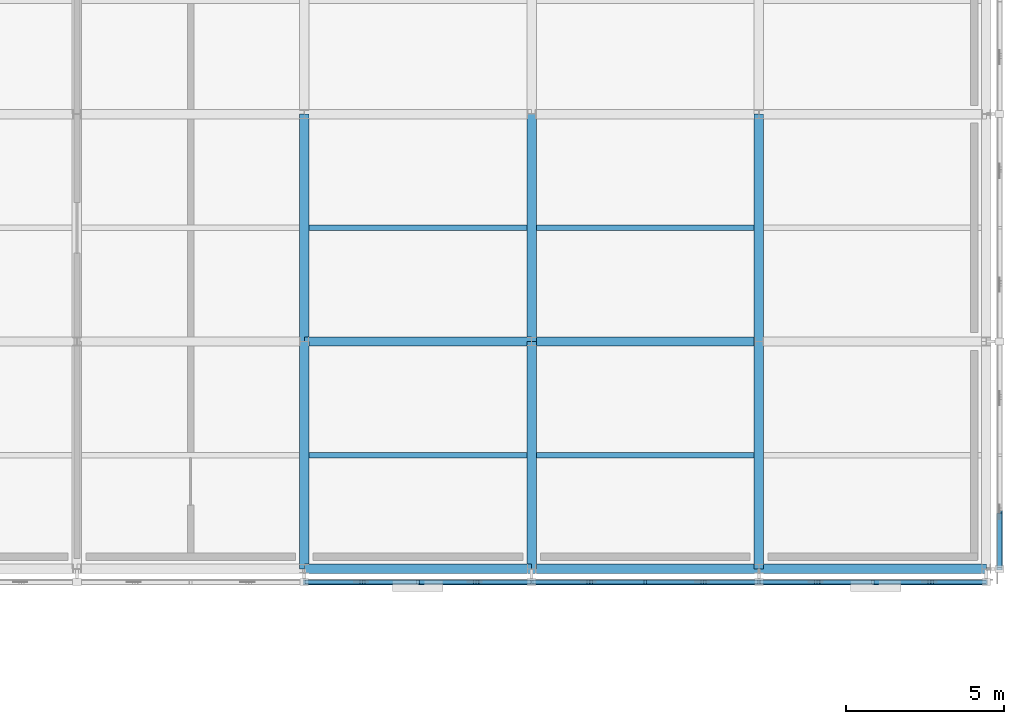
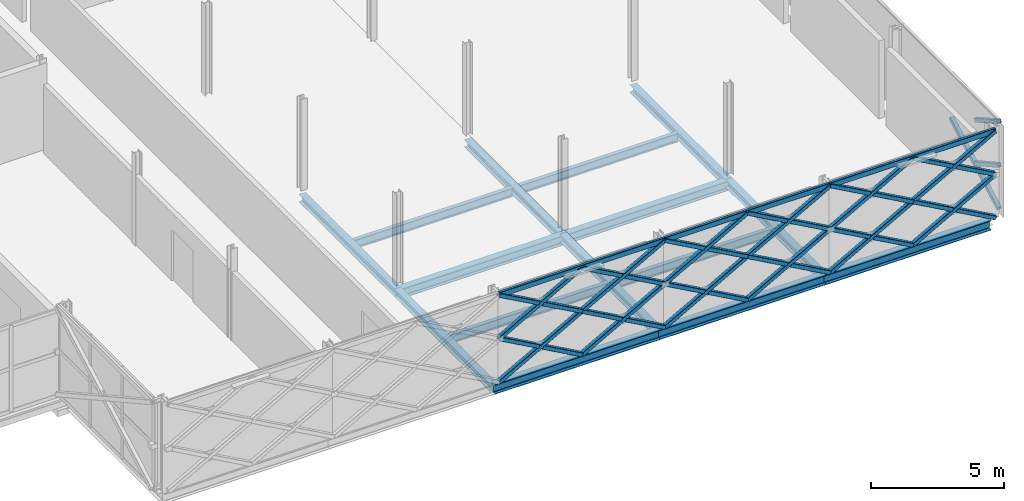
# One storey, part 68 of 146: 42 members, 15 beams.
"""IFC4 building model written with IfcOpenShell, lengths in metres."""

from ifc_helpers import new_model, si_unit, direction, frame, origin, origin_2d, place, context, subcontext, project, spatial, hollow_rectangle, i_section, extrude, material, material_profile, profile_set, type_object, element, save


model = new_model("IFC4")

# Units and contexts
model_context = context("Model", 3, precision=1e-05, world=origin(), true_north=direction((0.0, 1.0)))
body_context = subcontext(model_context, "Body", "Model", "MODEL_VIEW")
ifc_project = project(units=[si_unit("LENGTHUNIT", "METRE"), si_unit("AREAUNIT", "SQUARE_METRE"), si_unit("VOLUMEUNIT", "CUBIC_METRE"), si_unit("PLANEANGLEUNIT", "RADIAN"), si_unit("MASSUNIT", "GRAM", prefix="KILO")], contexts=[model_context])

# Site, building, storey
site_placement = place(None, origin())
site = spatial("IfcSite", under=ifc_project, at=site_placement, CompositionType="ELEMENT")
building_placement = place(site_placement, origin())
building = spatial("IfcBuilding", under=site, at=building_placement, Name="Zlatovets Crest Museum", CompositionType="ELEMENT")
storey_placement = place(building_placement, frame((0.0, 0.0, 4.5)))
storey = spatial("IfcBuildingStorey", under=building, at=storey_placement, Name="L01", CompositionType="ELEMENT", Elevation=4.5)

# Beams
ifc_material_1 = material(Name="Structural steel S355J2", Category="steel")
ifc_material_profile_1 = material_profile(ifc_material_1, i_section(OverallWidth=0.300048828125, OverallDepth=0.35009765625, WebThickness=0.010009765625, FlangeThickness=0.017578125, FilletRadius=0.027099609375, at=origin_2d()), Name="HEA 360")
ifc_profile_set_1 = profile_set([ifc_material_profile_1], Name="Structural steel S355J2")
beam_type_1 = type_object("IfcBeamType", Name="Beam_B-03", PredefinedType="BEAM", material=ifc_profile_set_1)
beam_1_placement = place(storey_placement, frame((144.0, 14.39990234375, -0.39501953125), z_axis=(0.0, 1.0, 0.0), x_axis=(-1.0, 0.0, 0.0)))
element("IfcBeam", 1, at=beam_1_placement, inside=storey, type_object=beam_type_1, Name="V5 L01 Grid Beam B-03", PredefinedType="BEAM", context=body_context, shape_type="SweptSolid", body=[
    extrude(i_section(OverallWidth=0.300048828125, OverallDepth=0.35009765625, WebThickness=0.010009765625, FlangeThickness=0.017578125, FilletRadius=0.027099609375, at=origin_2d()), origin(), (0.0, 0.0, 1.0), 7.2001953125),
])
beam_2_placement = place(storey_placement, frame((144.0, 21.60009765625, -0.39501953125), z_axis=(0.0, 1.0, 0.0), x_axis=(-1.0, 0.0, 0.0)))
element("IfcBeam", 2, at=beam_2_placement, inside=storey, type_object=beam_type_1, Name="V5 L01 Grid Beam B-03", PredefinedType="BEAM", context=body_context, shape_type="SweptSolid", body=[
    extrude(i_section(OverallWidth=0.300048828125, OverallDepth=0.35009765625, WebThickness=0.010009765625, FlangeThickness=0.017578125, FilletRadius=0.027099609375, at=origin_2d()), origin(), (0.0, 0.0, 1.0), 7.199951171875),
])
beam_3_placement = place(storey_placement, frame((151.199951171875, 14.39990234375, -0.39501953125), z_axis=(0.0, 1.0, 0.0), x_axis=(-1.0, 0.0, 0.0)))
element("IfcBeam", 3, at=beam_3_placement, inside=storey, type_object=beam_type_1, Name="V5 L01 Grid Beam B-03", PredefinedType="BEAM", context=body_context, shape_type="SweptSolid", body=[
    extrude(i_section(OverallWidth=0.300048828125, OverallDepth=0.35009765625, WebThickness=0.010009765625, FlangeThickness=0.017578125, FilletRadius=0.027099609375, at=origin_2d()), origin(), (0.0, 0.0, 1.0), 7.2001953125),
])
beam_4_placement = place(storey_placement, frame((151.199951171875, 21.60009765625, -0.39501953125), z_axis=(0.0, 1.0, 0.0), x_axis=(-1.0, 0.0, 0.0)))
element("IfcBeam", 4, at=beam_4_placement, inside=storey, type_object=beam_type_1, Name="V5 L01 Grid Beam B-03", PredefinedType="BEAM", context=body_context, shape_type="SweptSolid", body=[
    extrude(i_section(OverallWidth=0.300048828125, OverallDepth=0.35009765625, WebThickness=0.010009765625, FlangeThickness=0.017578125, FilletRadius=0.027099609375, at=origin_2d()), origin(), (0.0, 0.0, 1.0), 7.199951171875),
])
beam_5_placement = place(storey_placement, frame((158.39990234375, 14.39990234375, -0.39501953125), z_axis=(0.0, 1.0, 0.0), x_axis=(-1.0, 0.0, 0.0)))
element("IfcBeam", 5, at=beam_5_placement, inside=storey, type_object=beam_type_1, Name="V5 L01 Grid Beam B-03", PredefinedType="BEAM", context=body_context, shape_type="SweptSolid", body=[
    extrude(i_section(OverallWidth=0.300048828125, OverallDepth=0.35009765625, WebThickness=0.010009765625, FlangeThickness=0.017578125, FilletRadius=0.027099609375, at=origin_2d()), origin(), (0.0, 0.0, 1.0), 7.2001953125),
])
beam_6_placement = place(storey_placement, frame((158.39990234375, 21.60009765625, -0.39501953125), z_axis=(0.0, 1.0, 0.0), x_axis=(-1.0, 0.0, 0.0)))
element("IfcBeam", 6, at=beam_6_placement, inside=storey, type_object=beam_type_1, Name="V5 L01 Grid Beam B-03", PredefinedType="BEAM", context=body_context, shape_type="SweptSolid", body=[
    extrude(i_section(OverallWidth=0.300048828125, OverallDepth=0.35009765625, WebThickness=0.010009765625, FlangeThickness=0.017578125, FilletRadius=0.027099609375, at=origin_2d()), origin(), (0.0, 0.0, 1.0), 7.199951171875),
])
ifc_material_profile_2 = material_profile(ifc_material_1, i_section(OverallWidth=0.300048828125, OverallDepth=0.43994140625, WebThickness=0.011474609375, FlangeThickness=0.02099609375, FilletRadius=0.027099609375, at=origin_2d()), Name="HEA 450")
ifc_profile_set_2 = profile_set([ifc_material_profile_2], Name="Structural steel S355J2")
beam_type_2 = type_object("IfcBeamType", Name="Beam_B-10", PredefinedType="BEAM", material=ifc_profile_set_2)
for number, where, z_axis, x_axis, name in (
    (7, (144.0, 14.39990234375, -0.43994140625), (1.0, 0.0, 0.0), (0.0, 1.0, 0.0), "V5 L01 Primary Girder B-10"),
    (8, (151.199951171875, 14.39990234375, -0.43994140625), (1.0, 0.0, 0.0), (0.0, 1.0, 0.0), "V5 L01 Primary Girder B-10"),
):
    element("IfcBeam", number, at=place(storey_placement, frame(where, z_axis=z_axis, x_axis=x_axis)), inside=storey, type_object=beam_type_2, Name=name, PredefinedType="BEAM", context=body_context, shape_type="SweptSolid", body=[
        extrude(i_section(OverallWidth=0.300048828125, OverallDepth=0.43994140625, WebThickness=0.011474609375, FlangeThickness=0.02099609375, FilletRadius=0.027099609375, at=origin_2d()), origin(), (0.0, 0.0, 1.0), 7.199951171875),
    ])
beam_7_placement = place(storey_placement, frame((158.39990234375, 14.39990234375, -0.43994140625), z_axis=(1.0, 0.0, 0.0), x_axis=(0.0, 1.0, 0.0)))
element("IfcBeam", 9, at=beam_7_placement, inside=storey, type_object=beam_type_2, Name="V5 L01 Primary Girder B-10", PredefinedType="BEAM", context=body_context, shape_type="SweptSolid", body=[
    extrude(i_section(OverallWidth=0.300048828125, OverallDepth=0.43994140625, WebThickness=0.011474609375, FlangeThickness=0.02099609375, FilletRadius=0.027099609375, at=origin_2d()), origin(), (0.0, 0.0, 1.0), 7.2001953125),
])
for number, where, z_axis, x_axis, name in (
    (10, (144.0, 21.60009765625, -0.43994140625), (1.0, 0.0, 0.0), (0.0, 1.0, 0.0), "V5 L01 Primary Girder B-10"),
    (11, (151.199951171875, 21.60009765625, -0.43994140625), (1.0, 0.0, 0.0), (0.0, 1.0, 0.0), "V5 L01 Primary Girder B-10"),
):
    element("IfcBeam", number, at=place(storey_placement, frame(where, z_axis=z_axis, x_axis=x_axis)), inside=storey, type_object=beam_type_2, Name=name, PredefinedType="BEAM", context=body_context, shape_type="SweptSolid", body=[
        extrude(i_section(OverallWidth=0.300048828125, OverallDepth=0.43994140625, WebThickness=0.011474609375, FlangeThickness=0.02099609375, FilletRadius=0.027099609375, at=origin_2d()), origin(), (0.0, 0.0, 1.0), 7.199951171875),
    ])
ifc_material_profile_3 = material_profile(ifc_material_1, i_section(OverallWidth=0.179931640625, OverallDepth=0.39990234375, WebThickness=0.008544921875, FlangeThickness=0.013427734375, FilletRadius=0.02099609375, at=origin_2d()), Name="IPE 400")
ifc_profile_set_3 = profile_set([ifc_material_profile_3], Name="Structural steel S355J2")
beam_type_3 = type_object("IfcBeamType", Name="Beam_J-04", PredefinedType="JOIST", material=ifc_profile_set_3)
for number, where, z_axis, x_axis, name in (
    (12, (144.14990234375, 18.0, -0.419921875), (1.0, 0.0, 0.0), (0.0, 1.0, 0.0), "V5 L01 Composite Joist J-04"),
    (13, (144.14990234375, 25.199951171875, -0.419921875), (1.0, 0.0, 0.0), (0.0, 1.0, 0.0), "V5 L01 Composite Joist J-04"),
):
    element("IfcBeam", number, at=place(storey_placement, frame(where, z_axis=z_axis, x_axis=x_axis)), inside=storey, type_object=beam_type_3, Name=name, PredefinedType="JOIST", context=body_context, shape_type="SweptSolid", body=[
        extrude(i_section(OverallWidth=0.179931640625, OverallDepth=0.39990234375, WebThickness=0.008544921875, FlangeThickness=0.013427734375, FilletRadius=0.02099609375, at=origin_2d()), origin(), (0.0, 0.0, 1.0), 6.900146484375),
    ])
for number, where, z_axis, x_axis, name in (
    (14, (151.35009765625, 18.0, -0.419921875), (1.0, 0.0, 0.0), (0.0, 1.0, 0.0), "V5 L01 Composite Joist J-04"),
    (15, (151.35009765625, 25.199951171875, -0.419921875), (1.0, 0.0, 0.0), (0.0, 1.0, 0.0), "V5 L01 Composite Joist J-04"),
):
    element("IfcBeam", number, at=place(storey_placement, frame(where, z_axis=z_axis, x_axis=x_axis)), inside=storey, type_object=beam_type_3, Name=name, PredefinedType="JOIST", context=body_context, shape_type="SweptSolid", body=[
        extrude(i_section(OverallWidth=0.179931640625, OverallDepth=0.39990234375, WebThickness=0.008544921875, FlangeThickness=0.013427734375, FilletRadius=0.02099609375, at=origin_2d()), origin(), (0.0, 0.0, 1.0), 6.89990234375),
    ])

# Members
ifc_material_2 = material(Name="Weathering bronze-steel S355J2W", Category="steel")
ifc_material_profile_4 = material_profile(ifc_material_2, hollow_rectangle(XDim=0.179931640625, YDim=0.179931640625, WallThickness=0.010009765625, InnerFilletRadius=0.010009765625, OuterFilletRadius=0.02001953125, at=origin_2d()), Name="SHS 180x180x10.0")
ifc_profile_set_4 = profile_set([ifc_material_profile_4], Name="Weathering bronze-steel S355J2W")
member_type_1 = type_object("IfcMemberType", Name="Lattice_XL-01", PredefinedType="BRACE", material=ifc_profile_set_4)
member_1_placement = place(storey_placement, frame((144.0, 13.97998046875, 0.10009765625), z_axis=(0.874162868644, 0.0, 0.485632864501), x_axis=(0.0, 1.0, 0.0)))
element("IfcMember", 16, at=member_1_placement, inside=storey, type_object=member_type_1, Name="Continuous Bronze Lattice Diagonal", PredefinedType="BRACE", context=body_context, shape_type="SweptSolid", body=[
    extrude(hollow_rectangle(XDim=0.179931640625, YDim=0.179931640625, WallThickness=0.010009765625, InnerFilletRadius=0.010009765625, OuterFilletRadius=0.02001953125, at=origin_2d()), origin(), (0.0, 0.0, 1.0), 4.118408203125),
])
member_2_placement = place(storey_placement, frame((144.0, 13.97998046875, 2.10009765625), z_axis=(0.874116234569, 0.0, -0.48571679862), x_axis=(0.0, 1.0, 0.0)))
element("IfcMember", 17, at=member_2_placement, inside=storey, type_object=member_type_1, Name="Split Crossing Bronze Lattice Diagonal Upper", PredefinedType="BRACE", context=body_context, shape_type="SweptSolid", body=[
    extrude(hollow_rectangle(XDim=0.179931640625, YDim=0.179931640625, WallThickness=0.010009765625, InnerFilletRadius=0.010009765625, OuterFilletRadius=0.02001953125, at=origin_2d()), origin(), (0.0, 0.0, 1.0), 1.96435546875),
])
member_3_placement = place(storey_placement, frame((145.883056640625, 13.97998046875, 1.053955078125), z_axis=(0.874169001841, 0.0, -0.485621824284), x_axis=(0.0, 1.0, 0.0)))
element("IfcMember", 18, at=member_3_placement, inside=storey, type_object=member_type_1, Name="Split Crossing Bronze Lattice Diagonal Lower", PredefinedType="BRACE", context=body_context, shape_type="SweptSolid", body=[
    extrude(hollow_rectangle(XDim=0.179931640625, YDim=0.179931640625, WallThickness=0.010009765625, InnerFilletRadius=0.010009765625, OuterFilletRadius=0.02001953125, at=origin_2d()), origin(), (0.0, 0.0, 1.0), 1.964111328125),
])
member_4_placement = place(storey_placement, frame((147.60009765625, 13.97998046875, 0.10009765625), z_axis=(0.874148886685, 0.0, 0.485658031857), x_axis=(0.0, 1.0, 0.0)))
element("IfcMember", 19, at=member_4_placement, inside=storey, type_object=member_type_1, Name="Continuous Bronze Lattice Diagonal", PredefinedType="BRACE", context=body_context, shape_type="SweptSolid", body=[
    extrude(hollow_rectangle(XDim=0.179931640625, YDim=0.179931640625, WallThickness=0.010009765625, InnerFilletRadius=0.010009765625, OuterFilletRadius=0.02001953125, at=origin_2d()), origin(), (0.0, 0.0, 1.0), 4.1181640625),
])
for number, where, z_axis, x_axis, name in (
    (20, (147.60009765625, 13.97998046875, 2.10009765625), (0.874086907708, 0.0, -0.485769572713), (0.0, 1.0, 0.0), "Split Crossing Bronze Lattice Diagonal Upper"),
    (21, (149.48291015625, 13.97998046875, 1.053955078125), (0.874169001841, 0.0, -0.485621824284), (0.0, 1.0, 0.0), "Split Crossing Bronze Lattice Diagonal Lower"),
):
    element("IfcMember", number, at=place(storey_placement, frame(where, z_axis=z_axis, x_axis=x_axis)), inside=storey, type_object=member_type_1, Name=name, PredefinedType="BRACE", context=body_context, shape_type="SweptSolid", body=[
        extrude(hollow_rectangle(XDim=0.179931640625, YDim=0.179931640625, WallThickness=0.010009765625, InnerFilletRadius=0.010009765625, OuterFilletRadius=0.02001953125, at=origin_2d()), origin(), (0.0, 0.0, 1.0), 1.964111328125),
    ])
member_5_placement = place(storey_placement, frame((144.0, 13.97998046875, 2.10009765625), z_axis=(0.874162868644, 0.0, 0.485632864501), x_axis=(0.0, 1.0, 0.0)))
element("IfcMember", 22, at=member_5_placement, inside=storey, type_object=member_type_1, Name="Continuous Bronze Lattice Diagonal", PredefinedType="BRACE", context=body_context, shape_type="SweptSolid", body=[
    extrude(hollow_rectangle(XDim=0.179931640625, YDim=0.179931640625, WallThickness=0.010009765625, InnerFilletRadius=0.010009765625, OuterFilletRadius=0.02001953125, at=origin_2d()), origin(), (0.0, 0.0, 1.0), 4.118408203125),
])
member_6_placement = place(storey_placement, frame((144.0, 13.97998046875, 4.10009765625), z_axis=(0.874116234569, 0.0, -0.48571679862), x_axis=(0.0, 1.0, 0.0)))
element("IfcMember", 23, at=member_6_placement, inside=storey, type_object=member_type_1, Name="Split Crossing Bronze Lattice Diagonal Upper", PredefinedType="BRACE", context=body_context, shape_type="SweptSolid", body=[
    extrude(hollow_rectangle(XDim=0.179931640625, YDim=0.179931640625, WallThickness=0.010009765625, InnerFilletRadius=0.010009765625, OuterFilletRadius=0.02001953125, at=origin_2d()), origin(), (0.0, 0.0, 1.0), 1.96435546875),
])
member_7_placement = place(storey_placement, frame((145.883056640625, 13.97998046875, 3.053955078125), z_axis=(0.874169001841, 0.0, -0.485621824284), x_axis=(0.0, 1.0, 0.0)))
element("IfcMember", 24, at=member_7_placement, inside=storey, type_object=member_type_1, Name="Split Crossing Bronze Lattice Diagonal Lower", PredefinedType="BRACE", context=body_context, shape_type="SweptSolid", body=[
    extrude(hollow_rectangle(XDim=0.179931640625, YDim=0.179931640625, WallThickness=0.010009765625, InnerFilletRadius=0.010009765625, OuterFilletRadius=0.02001953125, at=origin_2d()), origin(), (0.0, 0.0, 1.0), 1.964111328125),
])
member_8_placement = place(storey_placement, frame((147.60009765625, 13.97998046875, 2.10009765625), z_axis=(0.874148886685, 0.0, 0.485658031857), x_axis=(0.0, 1.0, 0.0)))
element("IfcMember", 25, at=member_8_placement, inside=storey, type_object=member_type_1, Name="Continuous Bronze Lattice Diagonal", PredefinedType="BRACE", context=body_context, shape_type="SweptSolid", body=[
    extrude(hollow_rectangle(XDim=0.179931640625, YDim=0.179931640625, WallThickness=0.010009765625, InnerFilletRadius=0.010009765625, OuterFilletRadius=0.02001953125, at=origin_2d()), origin(), (0.0, 0.0, 1.0), 4.1181640625),
])
for number, where, z_axis, x_axis, name in (
    (26, (147.60009765625, 13.97998046875, 4.10009765625), (0.874086907708, 0.0, -0.485769572713), (0.0, 1.0, 0.0), "Split Crossing Bronze Lattice Diagonal Upper"),
    (27, (149.48291015625, 13.97998046875, 3.053955078125), (0.874169001841, 0.0, -0.485621824284), (0.0, 1.0, 0.0), "Split Crossing Bronze Lattice Diagonal Lower"),
):
    element("IfcMember", number, at=place(storey_placement, frame(where, z_axis=z_axis, x_axis=x_axis)), inside=storey, type_object=member_type_1, Name=name, PredefinedType="BRACE", context=body_context, shape_type="SweptSolid", body=[
        extrude(hollow_rectangle(XDim=0.179931640625, YDim=0.179931640625, WallThickness=0.010009765625, InnerFilletRadius=0.010009765625, OuterFilletRadius=0.02001953125, at=origin_2d()), origin(), (0.0, 0.0, 1.0), 1.964111328125),
    ])
member_9_placement = place(storey_placement, frame((151.199951171875, 13.97998046875, 0.10009765625), z_axis=(0.874162868644, 0.0, 0.485632864501), x_axis=(0.0, 1.0, 0.0)))
element("IfcMember", 28, at=member_9_placement, inside=storey, type_object=member_type_1, Name="Continuous Bronze Lattice Diagonal", PredefinedType="BRACE", context=body_context, shape_type="SweptSolid", body=[
    extrude(hollow_rectangle(XDim=0.179931640625, YDim=0.179931640625, WallThickness=0.010009765625, InnerFilletRadius=0.010009765625, OuterFilletRadius=0.02001953125, at=origin_2d()), origin(), (0.0, 0.0, 1.0), 4.118408203125),
])
member_10_placement = place(storey_placement, frame((151.199951171875, 13.97998046875, 2.10009765625), z_axis=(0.874116234569, 0.0, -0.48571679862), x_axis=(0.0, 1.0, 0.0)))
element("IfcMember", 29, at=member_10_placement, inside=storey, type_object=member_type_1, Name="Split Crossing Bronze Lattice Diagonal Upper", PredefinedType="BRACE", context=body_context, shape_type="SweptSolid", body=[
    extrude(hollow_rectangle(XDim=0.179931640625, YDim=0.179931640625, WallThickness=0.010009765625, InnerFilletRadius=0.010009765625, OuterFilletRadius=0.02001953125, at=origin_2d()), origin(), (0.0, 0.0, 1.0), 1.96435546875),
])
member_11_placement = place(storey_placement, frame((153.0830078125, 13.97998046875, 1.053955078125), z_axis=(0.874169001841, 0.0, -0.485621824284), x_axis=(0.0, 1.0, 0.0)))
element("IfcMember", 30, at=member_11_placement, inside=storey, type_object=member_type_1, Name="Split Crossing Bronze Lattice Diagonal Lower", PredefinedType="BRACE", context=body_context, shape_type="SweptSolid", body=[
    extrude(hollow_rectangle(XDim=0.179931640625, YDim=0.179931640625, WallThickness=0.010009765625, InnerFilletRadius=0.010009765625, OuterFilletRadius=0.02001953125, at=origin_2d()), origin(), (0.0, 0.0, 1.0), 1.964111328125),
])
member_12_placement = place(storey_placement, frame((154.800048828125, 13.97998046875, 0.10009765625), z_axis=(0.874148886685, 0.0, 0.485658031857), x_axis=(0.0, 1.0, 0.0)))
element("IfcMember", 31, at=member_12_placement, inside=storey, type_object=member_type_1, Name="Continuous Bronze Lattice Diagonal", PredefinedType="BRACE", context=body_context, shape_type="SweptSolid", body=[
    extrude(hollow_rectangle(XDim=0.179931640625, YDim=0.179931640625, WallThickness=0.010009765625, InnerFilletRadius=0.010009765625, OuterFilletRadius=0.02001953125, at=origin_2d()), origin(), (0.0, 0.0, 1.0), 4.1181640625),
])
member_13_placement = place(storey_placement, frame((154.800048828125, 13.97998046875, 2.10009765625), z_axis=(0.874116234569, 0.0, -0.48571679862), x_axis=(0.0, 1.0, 0.0)))
element("IfcMember", 32, at=member_13_placement, inside=storey, type_object=member_type_1, Name="Split Crossing Bronze Lattice Diagonal Upper", PredefinedType="BRACE", context=body_context, shape_type="SweptSolid", body=[
    extrude(hollow_rectangle(XDim=0.179931640625, YDim=0.179931640625, WallThickness=0.010009765625, InnerFilletRadius=0.010009765625, OuterFilletRadius=0.02001953125, at=origin_2d()), origin(), (0.0, 0.0, 1.0), 1.96435546875),
])
member_14_placement = place(storey_placement, frame((156.68310546875, 13.97998046875, 1.053955078125), z_axis=(0.874139684676, 0.0, -0.48567459443), x_axis=(0.0, 1.0, 0.0)))
element("IfcMember", 33, at=member_14_placement, inside=storey, type_object=member_type_1, Name="Split Crossing Bronze Lattice Diagonal Lower", PredefinedType="BRACE", context=body_context, shape_type="SweptSolid", body=[
    extrude(hollow_rectangle(XDim=0.179931640625, YDim=0.179931640625, WallThickness=0.010009765625, InnerFilletRadius=0.010009765625, OuterFilletRadius=0.02001953125, at=origin_2d()), origin(), (0.0, 0.0, 1.0), 1.9638671875),
])
member_15_placement = place(storey_placement, frame((151.199951171875, 13.97998046875, 2.10009765625), z_axis=(0.874162868644, 0.0, 0.485632864501), x_axis=(0.0, 1.0, 0.0)))
element("IfcMember", 34, at=member_15_placement, inside=storey, type_object=member_type_1, Name="Continuous Bronze Lattice Diagonal", PredefinedType="BRACE", context=body_context, shape_type="SweptSolid", body=[
    extrude(hollow_rectangle(XDim=0.179931640625, YDim=0.179931640625, WallThickness=0.010009765625, InnerFilletRadius=0.010009765625, OuterFilletRadius=0.02001953125, at=origin_2d()), origin(), (0.0, 0.0, 1.0), 4.118408203125),
])
member_16_placement = place(storey_placement, frame((151.199951171875, 13.97998046875, 4.10009765625), z_axis=(0.874116234569, 0.0, -0.48571679862), x_axis=(0.0, 1.0, 0.0)))
element("IfcMember", 35, at=member_16_placement, inside=storey, type_object=member_type_1, Name="Split Crossing Bronze Lattice Diagonal Upper", PredefinedType="BRACE", context=body_context, shape_type="SweptSolid", body=[
    extrude(hollow_rectangle(XDim=0.179931640625, YDim=0.179931640625, WallThickness=0.010009765625, InnerFilletRadius=0.010009765625, OuterFilletRadius=0.02001953125, at=origin_2d()), origin(), (0.0, 0.0, 1.0), 1.96435546875),
])
member_17_placement = place(storey_placement, frame((153.0830078125, 13.97998046875, 3.053955078125), z_axis=(0.874169001841, 0.0, -0.485621824284), x_axis=(0.0, 1.0, 0.0)))
element("IfcMember", 36, at=member_17_placement, inside=storey, type_object=member_type_1, Name="Split Crossing Bronze Lattice Diagonal Lower", PredefinedType="BRACE", context=body_context, shape_type="SweptSolid", body=[
    extrude(hollow_rectangle(XDim=0.179931640625, YDim=0.179931640625, WallThickness=0.010009765625, InnerFilletRadius=0.010009765625, OuterFilletRadius=0.02001953125, at=origin_2d()), origin(), (0.0, 0.0, 1.0), 1.964111328125),
])
member_18_placement = place(storey_placement, frame((154.800048828125, 13.97998046875, 2.10009765625), z_axis=(0.874148886685, 0.0, 0.485658031857), x_axis=(0.0, 1.0, 0.0)))
element("IfcMember", 37, at=member_18_placement, inside=storey, type_object=member_type_1, Name="Continuous Bronze Lattice Diagonal", PredefinedType="BRACE", context=body_context, shape_type="SweptSolid", body=[
    extrude(hollow_rectangle(XDim=0.179931640625, YDim=0.179931640625, WallThickness=0.010009765625, InnerFilletRadius=0.010009765625, OuterFilletRadius=0.02001953125, at=origin_2d()), origin(), (0.0, 0.0, 1.0), 4.1181640625),
])
member_19_placement = place(storey_placement, frame((154.800048828125, 13.97998046875, 4.10009765625), z_axis=(0.874116234569, 0.0, -0.48571679862), x_axis=(0.0, 1.0, 0.0)))
element("IfcMember", 38, at=member_19_placement, inside=storey, type_object=member_type_1, Name="Split Crossing Bronze Lattice Diagonal Upper", PredefinedType="BRACE", context=body_context, shape_type="SweptSolid", body=[
    extrude(hollow_rectangle(XDim=0.179931640625, YDim=0.179931640625, WallThickness=0.010009765625, InnerFilletRadius=0.010009765625, OuterFilletRadius=0.02001953125, at=origin_2d()), origin(), (0.0, 0.0, 1.0), 1.96435546875),
])
member_20_placement = place(storey_placement, frame((156.68310546875, 13.97998046875, 3.053955078125), z_axis=(0.874139684676, 0.0, -0.48567459443), x_axis=(0.0, 1.0, 0.0)))
element("IfcMember", 39, at=member_20_placement, inside=storey, type_object=member_type_1, Name="Split Crossing Bronze Lattice Diagonal Lower", PredefinedType="BRACE", context=body_context, shape_type="SweptSolid", body=[
    extrude(hollow_rectangle(XDim=0.179931640625, YDim=0.179931640625, WallThickness=0.010009765625, InnerFilletRadius=0.010009765625, OuterFilletRadius=0.02001953125, at=origin_2d()), origin(), (0.0, 0.0, 1.0), 1.9638671875),
])
member_21_placement = place(storey_placement, frame((158.39990234375, 13.97998046875, 0.10009765625), z_axis=(0.874162868644, 0.0, 0.485632864501), x_axis=(0.0, 1.0, 0.0)))
element("IfcMember", 40, at=member_21_placement, inside=storey, type_object=member_type_1, Name="Continuous Bronze Lattice Diagonal", PredefinedType="BRACE", context=body_context, shape_type="SweptSolid", body=[
    extrude(hollow_rectangle(XDim=0.179931640625, YDim=0.179931640625, WallThickness=0.010009765625, InnerFilletRadius=0.010009765625, OuterFilletRadius=0.02001953125, at=origin_2d()), origin(), (0.0, 0.0, 1.0), 4.118408203125),
])
member_22_placement = place(storey_placement, frame((158.39990234375, 13.97998046875, 2.10009765625), z_axis=(0.874116234569, 0.0, -0.48571679862), x_axis=(0.0, 1.0, 0.0)))
element("IfcMember", 41, at=member_22_placement, inside=storey, type_object=member_type_1, Name="Split Crossing Bronze Lattice Diagonal Upper", PredefinedType="BRACE", context=body_context, shape_type="SweptSolid", body=[
    extrude(hollow_rectangle(XDim=0.179931640625, YDim=0.179931640625, WallThickness=0.010009765625, InnerFilletRadius=0.010009765625, OuterFilletRadius=0.02001953125, at=origin_2d()), origin(), (0.0, 0.0, 1.0), 1.96435546875),
])
member_23_placement = place(storey_placement, frame((160.282958984375, 13.97998046875, 1.053955078125), z_axis=(0.874169001841, 0.0, -0.485621824284), x_axis=(0.0, 1.0, 0.0)))
element("IfcMember", 42, at=member_23_placement, inside=storey, type_object=member_type_1, Name="Split Crossing Bronze Lattice Diagonal Lower", PredefinedType="BRACE", context=body_context, shape_type="SweptSolid", body=[
    extrude(hollow_rectangle(XDim=0.179931640625, YDim=0.179931640625, WallThickness=0.010009765625, InnerFilletRadius=0.010009765625, OuterFilletRadius=0.02001953125, at=origin_2d()), origin(), (0.0, 0.0, 1.0), 1.964111328125),
])
member_24_placement = place(storey_placement, frame((162.0, 13.97998046875, 0.10009765625), z_axis=(0.874162868644, 0.0, 0.485632864501), x_axis=(0.0, 1.0, 0.0)))
element("IfcMember", 43, at=member_24_placement, inside=storey, type_object=member_type_1, Name="Continuous Bronze Lattice Diagonal", PredefinedType="BRACE", context=body_context, shape_type="SweptSolid", body=[
    extrude(hollow_rectangle(XDim=0.179931640625, YDim=0.179931640625, WallThickness=0.010009765625, InnerFilletRadius=0.010009765625, OuterFilletRadius=0.02001953125, at=origin_2d()), origin(), (0.0, 0.0, 1.0), 4.118408203125),
])
member_25_placement = place(storey_placement, frame((162.0, 13.97998046875, 2.10009765625), z_axis=(0.874116234569, 0.0, -0.48571679862), x_axis=(0.0, 1.0, 0.0)))
element("IfcMember", 44, at=member_25_placement, inside=storey, type_object=member_type_1, Name="Split Crossing Bronze Lattice Diagonal Upper", PredefinedType="BRACE", context=body_context, shape_type="SweptSolid", body=[
    extrude(hollow_rectangle(XDim=0.179931640625, YDim=0.179931640625, WallThickness=0.010009765625, InnerFilletRadius=0.010009765625, OuterFilletRadius=0.02001953125, at=origin_2d()), origin(), (0.0, 0.0, 1.0), 1.96435546875),
])
member_26_placement = place(storey_placement, frame((163.883056640625, 13.97998046875, 1.053955078125), z_axis=(0.874169001841, 0.0, -0.485621824284), x_axis=(0.0, 1.0, 0.0)))
element("IfcMember", 45, at=member_26_placement, inside=storey, type_object=member_type_1, Name="Split Crossing Bronze Lattice Diagonal Lower", PredefinedType="BRACE", context=body_context, shape_type="SweptSolid", body=[
    extrude(hollow_rectangle(XDim=0.179931640625, YDim=0.179931640625, WallThickness=0.010009765625, InnerFilletRadius=0.010009765625, OuterFilletRadius=0.02001953125, at=origin_2d()), origin(), (0.0, 0.0, 1.0), 1.964111328125),
])
member_27_placement = place(storey_placement, frame((158.39990234375, 13.97998046875, 2.10009765625), z_axis=(0.874162868644, 0.0, 0.485632864501), x_axis=(0.0, 1.0, 0.0)))
element("IfcMember", 46, at=member_27_placement, inside=storey, type_object=member_type_1, Name="Continuous Bronze Lattice Diagonal", PredefinedType="BRACE", context=body_context, shape_type="SweptSolid", body=[
    extrude(hollow_rectangle(XDim=0.179931640625, YDim=0.179931640625, WallThickness=0.010009765625, InnerFilletRadius=0.010009765625, OuterFilletRadius=0.02001953125, at=origin_2d()), origin(), (0.0, 0.0, 1.0), 4.118408203125),
])
member_28_placement = place(storey_placement, frame((158.39990234375, 13.97998046875, 4.10009765625), z_axis=(0.874116234569, 0.0, -0.48571679862), x_axis=(0.0, 1.0, 0.0)))
element("IfcMember", 47, at=member_28_placement, inside=storey, type_object=member_type_1, Name="Split Crossing Bronze Lattice Diagonal Upper", PredefinedType="BRACE", context=body_context, shape_type="SweptSolid", body=[
    extrude(hollow_rectangle(XDim=0.179931640625, YDim=0.179931640625, WallThickness=0.010009765625, InnerFilletRadius=0.010009765625, OuterFilletRadius=0.02001953125, at=origin_2d()), origin(), (0.0, 0.0, 1.0), 1.96435546875),
])
member_29_placement = place(storey_placement, frame((160.282958984375, 13.97998046875, 3.053955078125), z_axis=(0.874169001841, 0.0, -0.485621824284), x_axis=(0.0, 1.0, 0.0)))
element("IfcMember", 48, at=member_29_placement, inside=storey, type_object=member_type_1, Name="Split Crossing Bronze Lattice Diagonal Lower", PredefinedType="BRACE", context=body_context, shape_type="SweptSolid", body=[
    extrude(hollow_rectangle(XDim=0.179931640625, YDim=0.179931640625, WallThickness=0.010009765625, InnerFilletRadius=0.010009765625, OuterFilletRadius=0.02001953125, at=origin_2d()), origin(), (0.0, 0.0, 1.0), 1.964111328125),
])
member_30_placement = place(storey_placement, frame((162.0, 13.97998046875, 2.10009765625), z_axis=(0.874162868644, 0.0, 0.485632864501), x_axis=(0.0, 1.0, 0.0)))
element("IfcMember", 49, at=member_30_placement, inside=storey, type_object=member_type_1, Name="Continuous Bronze Lattice Diagonal", PredefinedType="BRACE", context=body_context, shape_type="SweptSolid", body=[
    extrude(hollow_rectangle(XDim=0.179931640625, YDim=0.179931640625, WallThickness=0.010009765625, InnerFilletRadius=0.010009765625, OuterFilletRadius=0.02001953125, at=origin_2d()), origin(), (0.0, 0.0, 1.0), 4.118408203125),
])
member_31_placement = place(storey_placement, frame((162.0, 13.97998046875, 4.10009765625), z_axis=(0.874116234569, 0.0, -0.48571679862), x_axis=(0.0, 1.0, 0.0)))
element("IfcMember", 50, at=member_31_placement, inside=storey, type_object=member_type_1, Name="Split Crossing Bronze Lattice Diagonal Upper", PredefinedType="BRACE", context=body_context, shape_type="SweptSolid", body=[
    extrude(hollow_rectangle(XDim=0.179931640625, YDim=0.179931640625, WallThickness=0.010009765625, InnerFilletRadius=0.010009765625, OuterFilletRadius=0.02001953125, at=origin_2d()), origin(), (0.0, 0.0, 1.0), 1.96435546875),
])
member_32_placement = place(storey_placement, frame((163.883056640625, 13.97998046875, 3.053955078125), z_axis=(0.874169001841, 0.0, -0.485621824284), x_axis=(0.0, 1.0, 0.0)))
element("IfcMember", 51, at=member_32_placement, inside=storey, type_object=member_type_1, Name="Split Crossing Bronze Lattice Diagonal Lower", PredefinedType="BRACE", context=body_context, shape_type="SweptSolid", body=[
    extrude(hollow_rectangle(XDim=0.179931640625, YDim=0.179931640625, WallThickness=0.010009765625, InnerFilletRadius=0.010009765625, OuterFilletRadius=0.02001953125, at=origin_2d()), origin(), (0.0, 0.0, 1.0), 1.964111328125),
])
member_33_placement = place(storey_placement, frame((166.02001953125, 14.39990234375, 0.10009765625), z_axis=(0.0, 0.874162868644, 0.485632864501), x_axis=(-1.0, 0.0, 0.0)))
element("IfcMember", 52, at=member_33_placement, inside=storey, type_object=member_type_1, Name="Continuous Bronze Lattice Diagonal", PredefinedType="BRACE", context=body_context, shape_type="SweptSolid", body=[
    extrude(hollow_rectangle(XDim=0.179931640625, YDim=0.179931640625, WallThickness=0.010009765625, InnerFilletRadius=0.010009765625, OuterFilletRadius=0.02001953125, at=origin_2d()), origin(), (0.0, 0.0, 1.0), 4.118408203125),
])
for number, where, z_axis, x_axis, name in (
    (53, (166.02001953125, 14.39990234375, 2.10009765625), (0.0, 0.874116234569, -0.48571679862), (-1.0, 0.0, 0.0), "Split Crossing Bronze Lattice Diagonal Upper"),
    (54, (166.02001953125, 14.39990234375, 4.10009765625), (0.0, 0.874116234569, -0.48571679862), (-1.0, 0.0, 0.0), "Split Crossing Bronze Lattice Diagonal Upper"),
):
    element("IfcMember", number, at=place(storey_placement, frame(where, z_axis=z_axis, x_axis=x_axis)), inside=storey, type_object=member_type_1, Name=name, PredefinedType="BRACE", context=body_context, shape_type="SweptSolid", body=[
        extrude(hollow_rectangle(XDim=0.179931640625, YDim=0.179931640625, WallThickness=0.010009765625, InnerFilletRadius=0.010009765625, OuterFilletRadius=0.02001953125, at=origin_2d()), origin(), (0.0, 0.0, 1.0), 1.96435546875),
    ])
ifc_material_profile_5 = material_profile(ifc_material_2, hollow_rectangle(XDim=0.1201171875, YDim=0.239990234375, WallThickness=0.010009765625, InnerFilletRadius=0.010009765625, OuterFilletRadius=0.02001953125, at=origin_2d()), Name="RHS 120x240x10.0")
ifc_profile_set_5 = profile_set([ifc_material_profile_5], Name="Weathering bronze-steel S355J2W")
member_type_2 = type_object("IfcMemberType", Name="Lattice_XL-04", PredefinedType="CHORD", material=ifc_profile_set_5)
for number, where, z_axis, x_axis, name in (
    (55, (144.0, 13.97998046875, 4.10009765625), (1.0, 0.0, 0.0), (0.0, 1.0, 0.0), "Art Nouveau Woven Cage Collector Ring Chord"),
    (56, (151.199951171875, 13.97998046875, 4.10009765625), (1.0, 0.0, 0.0), (0.0, 1.0, 0.0), "Art Nouveau Woven Cage Collector Ring Chord"),
):
    element("IfcMember", number, at=place(storey_placement, frame(where, z_axis=z_axis, x_axis=x_axis)), inside=storey, type_object=member_type_2, Name=name, PredefinedType="CHORD", context=body_context, shape_type="SweptSolid", body=[
        extrude(hollow_rectangle(XDim=0.1201171875, YDim=0.239990234375, WallThickness=0.010009765625, InnerFilletRadius=0.010009765625, OuterFilletRadius=0.02001953125, at=origin_2d()), origin(), (0.0, 0.0, 1.0), 7.199951171875),
    ])
member_34_placement = place(storey_placement, frame((158.39990234375, 13.97998046875, 4.10009765625), z_axis=(1.0, 0.0, 0.0), x_axis=(0.0, 1.0, 0.0)))
element("IfcMember", 57, at=member_34_placement, inside=storey, type_object=member_type_2, Name="Art Nouveau Woven Cage Collector Ring Chord", PredefinedType="CHORD", context=body_context, shape_type="SweptSolid", body=[
    extrude(hollow_rectangle(XDim=0.1201171875, YDim=0.239990234375, WallThickness=0.010009765625, InnerFilletRadius=0.010009765625, OuterFilletRadius=0.02001953125, at=origin_2d()), origin(), (0.0, 0.0, 1.0), 7.2001953125),
])

save(model, "model.ifc")
